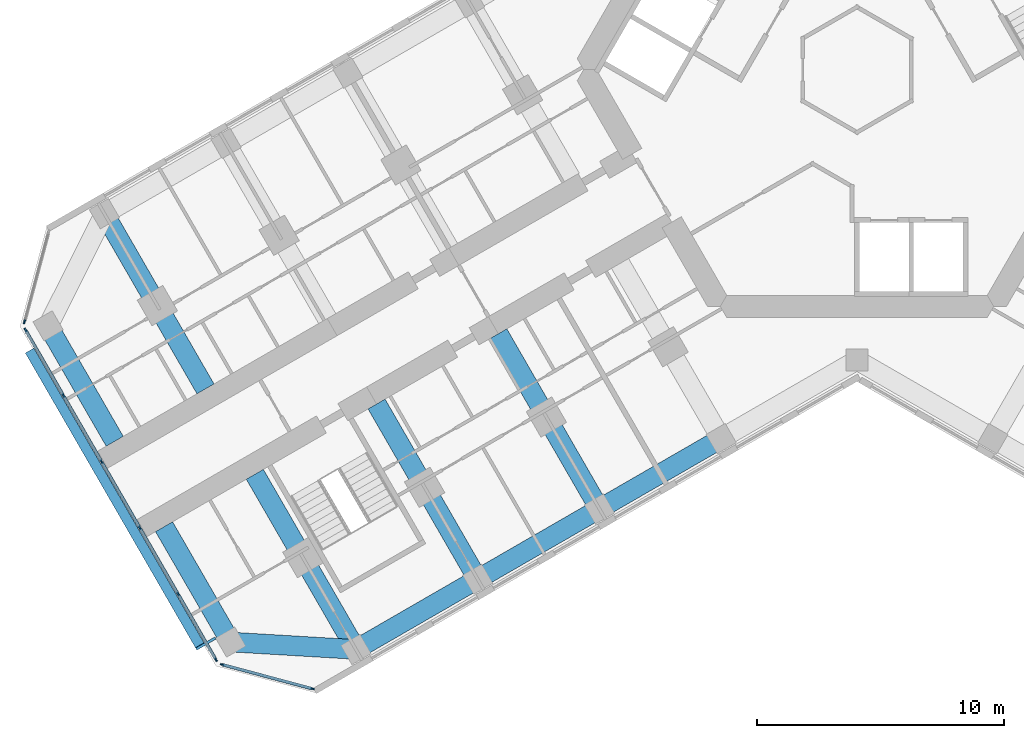
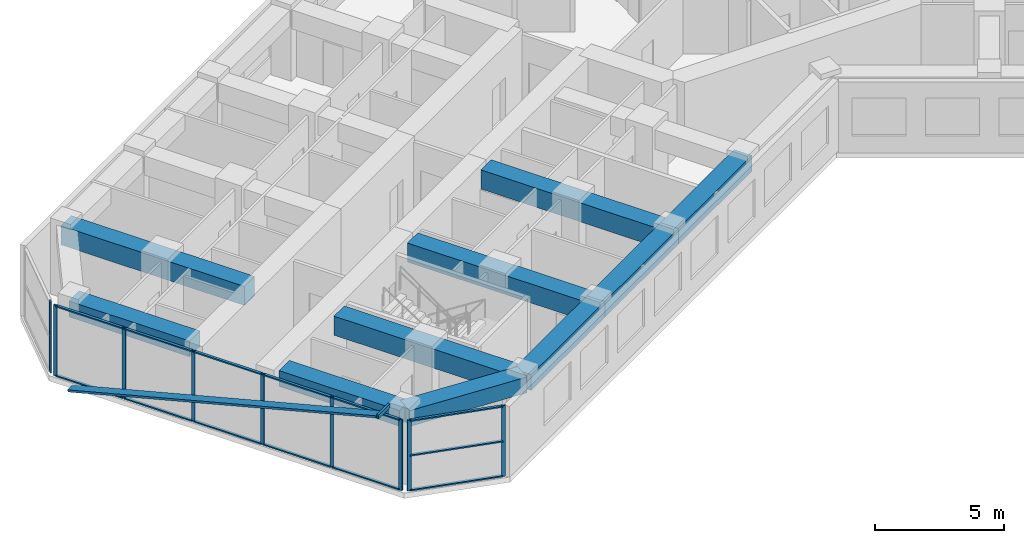
# One storey, part 2 of 19: 24 members, 10 beams, 3 elements without a shape of their own.
"""IFC4 building model written with IfcOpenShell, lengths in metres."""

from ifc_helpers import new_model, si_unit, direction, frame, origin, origin_2d, place, context, subcontext, project, spatial, rectangle, hollow_rectangle, extrude, material, material_profile, profile_set, type_object, element, aggregate, save


model = new_model("IFC4")

# Units and contexts
model_context = context("Model", 3, precision=1e-05, world=origin(), true_north=direction((0.0, 1.0)))
body_context = subcontext(model_context, "Body", "Model", "MODEL_VIEW")
ifc_project = project(units=[si_unit("LENGTHUNIT", "METRE"), si_unit("AREAUNIT", "SQUARE_METRE"), si_unit("VOLUMEUNIT", "CUBIC_METRE"), si_unit("PLANEANGLEUNIT", "RADIAN"), si_unit("MASSUNIT", "GRAM", prefix="KILO")], contexts=[model_context])

# Site, building, storey
site_placement = place(None, origin())
site = spatial("IfcSite", under=ifc_project, at=site_placement, CompositionType="ELEMENT")
building_placement = place(site_placement, origin())
building = spatial("IfcBuilding", under=site, at=building_placement, Name="Kosmar Iwan School Tower", CompositionType="ELEMENT")
storey_placement = place(building_placement, frame((0.0, 0.0, 145.39990234375)))
storey = spatial("IfcBuildingStorey", under=building, at=storey_placement, Name="L36", CompositionType="ELEMENT", Elevation=145.39990234375)

# Members
ifc_material_1 = material(Name="Black anodised aluminium", Category="aluminium")
ifc_material_profile_1 = material_profile(ifc_material_1, rectangle(XDim=0.10009765625, YDim=0.39990234375, at=origin_2d()), Name="FIN 100x400")
ifc_profile_set_1 = profile_set([ifc_material_profile_1], Name="Black anodised aluminium")
member_type_1 = type_object("IfcMemberType", Name="Diagonal fin 100x400", PredefinedType="USERDEFINED", material=ifc_profile_set_1)
member_1_placement = place(storey_placement, frame((-33.54345703125, -11.40087890625, -0.14990234375), z_axis=(0.483793446988, -0.837970316603, 0.25248692866), x_axis=(-0.126241714543, 0.218661104574, 0.96760030532)))
element("IfcMember", 1, at=member_1_placement, inside=storey, type_object=member_type_1, Name="Diagonal fin L36-F13", ObjectType="FIN", PredefinedType="USERDEFINED", context=body_context, shape_type="SweptSolid", body=[
    extrude(rectangle(XDim=0.10009765625, YDim=0.39990234375, at=origin_2d()), origin(), (0.0, 0.0, 1.0), 14.258544921875),
])
ifc_material_2 = material(Name="Steel S355", Category="steel")
ifc_material_profile_2 = material_profile(ifc_material_2, hollow_rectangle(XDim=0.10009765625, YDim=0.199951171875, WallThickness=0.008056640625, at=origin_2d()), Name="RHS 200x100x8")
ifc_profile_set_2 = profile_set([ifc_material_profile_2], Name="Steel S355")
member_type_2 = type_object("IfcMemberType", Name="Fin bracket RHS 200x100", PredefinedType="USERDEFINED", material=ifc_profile_set_2)
member_2_placement = place(storey_placement, frame((-26.01318359375, -23.0439453125, 3.47509765625), z_axis=(-0.866013897511, -0.50001992892, 0.0), x_axis=(0.50001992892, -0.866013897511, 0.0)))
element("IfcMember", 2, at=member_2_placement, inside=storey, type_object=member_type_2, Name="Fin bracket L37", ObjectType="FIN BRACKET", PredefinedType="USERDEFINED", context=body_context, shape_type="SweptSolid", body=[
    extrude(hollow_rectangle(XDim=0.10009765625, YDim=0.199951171875, WallThickness=0.008056640625, at=origin_2d()), origin(), (0.0, 0.0, 1.0), 0.89990234375),
])

# Curtain wall, member
ifc_material_3 = material(Name="Dark glass in black aluminium frame", Category="aluminium")
curtain_wall_type_1 = type_object("IfcCurtainWallType", Name="Chamfer curtain wall dark glass", PredefinedType="USERDEFINED", material=ifc_material_3)
curtain_wall_1_placement = place(storey_placement, origin())
curtain_wall_1 = element("IfcCurtainWall", 3, at=curtain_wall_1_placement, inside=storey, type_object=curtain_wall_type_1, Name="Curtain wall L36-F12", ObjectType="FACETED CURTAIN WALL", PredefinedType="USERDEFINED")
ifc_material_4 = material(Name="Black anodised aluminium", Category="aluminium")
ifc_material_profile_3 = material_profile(ifc_material_4, rectangle(XDim=0.06005859375, YDim=0.159912109375, at=origin_2d()), Name="MULLION 60x160")
ifc_profile_set_3 = profile_set([ifc_material_profile_3], Name="Black anodised aluminium")
member_type_3 = type_object("IfcMemberType", Name="Mullion 60x160", PredefinedType="MULLION", material=ifc_profile_set_3)
member_3_placement = place(storey_placement, frame((-33.7587890625, -10.2236328125, 0.0), z_axis=(0.0, 0.0, 1.0), x_axis=(0.965925875495, -0.258818861462, 0.0)))
member_3 = element("IfcMember", 4, at=member_3_placement, type_object=member_type_3, Name="CW2 mullion 2", PredefinedType="MULLION", context=body_context, shape_type="SweptSolid", body=[
    extrude(rectangle(XDim=0.06005859375, YDim=0.159912109375, at=origin_2d()), origin(), (0.0, 0.0, 1.0), 3.35009765625),
])
aggregate(curtain_wall_1, [member_3])

# Curtain wall, members
ifc_material_5 = material(Name="Dark glass in black aluminium frame", Category="aluminium")
curtain_wall_type_2 = type_object("IfcCurtainWallType", Name="Tower curtain wall dark glass", PredefinedType="USERDEFINED", material=ifc_material_5)
curtain_wall_2_placement = place(storey_placement, origin())
curtain_wall_2 = element("IfcCurtainWall", 5, at=curtain_wall_2_placement, inside=storey, type_object=curtain_wall_type_2, Name="Curtain wall L36-F13", ObjectType="UNITISED CURTAIN WALL", PredefinedType="USERDEFINED")
member_4_placement = place(storey_placement, frame((-33.71533203125, -10.55322265625, 0.0), z_axis=(0.0, 0.0, 1.0), x_axis=(0.866025405329, 0.499999997325, 0.0)))
member_4 = element("IfcMember", 6, at=member_4_placement, type_object=member_type_3, Name="CW1 mullion 1", PredefinedType="MULLION", context=body_context, shape_type="SweptSolid", body=[
    extrude(rectangle(XDim=0.06005859375, YDim=0.159912109375, at=origin_2d()), origin(), (0.0, 0.0, 1.0), 3.35009765625),
])
member_5_placement = place(storey_placement, frame((-32.1806640625, -13.21142578125, 0.0), z_axis=(0.0, 0.0, 1.0), x_axis=(0.866025405329, 0.499999997325, 0.0)))
member_5 = element("IfcMember", 7, at=member_5_placement, type_object=member_type_3, Name="CW1 mullion 2", PredefinedType="MULLION", context=body_context, shape_type="SweptSolid", body=[
    extrude(rectangle(XDim=0.06005859375, YDim=0.159912109375, at=origin_2d()), origin(), (0.0, 0.0, 1.0), 3.35009765625),
])
member_6_placement = place(storey_placement, frame((-30.631103515625, -15.8955078125, 0.0), z_axis=(0.0, 0.0, 1.0), x_axis=(0.866025405329, 0.499999997325, 0.0)))
member_6 = element("IfcMember", 8, at=member_6_placement, type_object=member_type_3, Name="CW1 mullion 3", PredefinedType="MULLION", context=body_context, shape_type="SweptSolid", body=[
    extrude(rectangle(XDim=0.06005859375, YDim=0.159912109375, at=origin_2d()), origin(), (0.0, 0.0, 1.0), 3.35009765625),
])
member_7_placement = place(storey_placement, frame((-29.081298828125, -18.57958984375, 0.0), z_axis=(0.0, 0.0, 1.0), x_axis=(0.866025405329, 0.499999997325, 0.0)))
member_7 = element("IfcMember", 9, at=member_7_placement, type_object=member_type_3, Name="CW1 mullion 4", PredefinedType="MULLION", context=body_context, shape_type="SweptSolid", body=[
    extrude(rectangle(XDim=0.06005859375, YDim=0.159912109375, at=origin_2d()), origin(), (0.0, 0.0, 1.0), 3.35009765625),
])
member_8_placement = place(storey_placement, frame((-27.53173828125, -21.263671875, 0.0), z_axis=(0.0, 0.0, 1.0), x_axis=(0.866025405329, 0.499999997325, 0.0)))
member_8 = element("IfcMember", 10, at=member_8_placement, type_object=member_type_3, Name="CW1 mullion 5", PredefinedType="MULLION", context=body_context, shape_type="SweptSolid", body=[
    extrude(rectangle(XDim=0.06005859375, YDim=0.159912109375, at=origin_2d()), origin(), (0.0, 0.0, 1.0), 3.35009765625),
])
member_9_placement = place(storey_placement, frame((-25.9970703125, -23.921630859375, 0.0), z_axis=(0.0, 0.0, 1.0), x_axis=(0.866025405329, 0.499999997325, 0.0)))
member_9 = element("IfcMember", 11, at=member_9_placement, type_object=member_type_3, Name="CW1 mullion 6", PredefinedType="MULLION", context=body_context, shape_type="SweptSolid", body=[
    extrude(rectangle(XDim=0.06005859375, YDim=0.159912109375, at=origin_2d()), origin(), (0.0, 0.0, 1.0), 3.35009765625),
])

curtain_wall_3_placement = place(storey_placement, origin())
curtain_wall_3 = element("IfcCurtainWall", 12, at=curtain_wall_3_placement, inside=storey, type_object=curtain_wall_type_1, Name="Curtain wall L36-F14", ObjectType="FACETED CURTAIN WALL", PredefinedType="USERDEFINED")
member_10_placement = place(storey_placement, frame((-25.733154296875, -24.124267578125, 0.0), z_axis=(0.0, 0.0, 1.0), x_axis=(0.258818861462, 0.965925875495, 0.0)))
member_10 = element("IfcMember", 13, at=member_10_placement, type_object=member_type_3, Name="CW2 mullion 1", PredefinedType="MULLION", context=body_context, shape_type="SweptSolid", body=[
    extrude(rectangle(XDim=0.06005859375, YDim=0.159912109375, at=origin_2d()), origin(), (0.0, 0.0, 1.0), 3.35009765625),
])
member_11_placement = place(storey_placement, frame((-22.0830078125, -25.102294921875, 0.0), z_axis=(0.0, 0.0, 1.0), x_axis=(0.258818861462, 0.965925875495, 0.0)))
member_11 = element("IfcMember", 14, at=member_11_placement, type_object=member_type_3, Name="CW2 mullion 2", PredefinedType="MULLION", context=body_context, shape_type="SweptSolid", body=[
    extrude(rectangle(XDim=0.06005859375, YDim=0.159912109375, at=origin_2d()), origin(), (0.0, 0.0, 1.0), 3.35009765625),
])

# Beams
ifc_material_6 = material(Name="Concrete C50/60", Category="concrete")
ifc_material_profile_4 = material_profile(ifc_material_6, rectangle(XDim=0.800048828125, YDim=0.75, at=origin_2d()), Name="RC 800x750")
ifc_profile_set_4 = profile_set([ifc_material_profile_4], Name="Concrete C50/60")
beam_type_1 = type_object("IfcBeamType", Name="RC edge beam 800x750", PredefinedType="BEAM", material=ifc_profile_set_4)
beam_1_placement = place(storey_placement, frame((-5.5087890625, -14.95849609375, 2.97509765625), z_axis=(-0.866033658841, -0.49998570155, 0.0), x_axis=(0.49998570155, -0.866033658841, 0.0)))
element("IfcBeam", 15, at=beam_1_placement, inside=storey, type_object=beam_type_1, Name="Edge beam BL2", PredefinedType="BEAM", context=body_context, shape_type="SweptSolid", body=[
    extrude(rectangle(XDim=0.800048828125, YDim=0.75, at=origin_2d()), origin(), (0.0, 0.0, 1.0), 5.699951171875),
])
beam_2_placement = place(storey_placement, frame((-10.445068359375, -17.808349609375, 2.97509765625), z_axis=(-0.866025820012, -0.499999279071, 0.0), x_axis=(0.499999279071, -0.866025820012, 0.0)))
element("IfcBeam", 16, at=beam_2_placement, inside=storey, type_object=beam_type_1, Name="Edge beam BL3", PredefinedType="BEAM", context=body_context, shape_type="SweptSolid", body=[
    extrude(rectangle(XDim=0.800048828125, YDim=0.75, at=origin_2d()), origin(), (0.0, 0.0, 1.0), 5.7001953125),
])
beam_3_placement = place(storey_placement, frame((-15.381591796875, -20.658447265625, 2.97509765625), z_axis=(-0.866015111908, -0.50001782563, 0.0), x_axis=(0.50001782563, -0.866015111908, 0.0)))
element("IfcBeam", 17, at=beam_3_placement, inside=storey, type_object=beam_type_1, Name="Edge beam BL4", PredefinedType="BEAM", context=body_context, shape_type="SweptSolid", body=[
    extrude(rectangle(XDim=0.800048828125, YDim=0.75, at=origin_2d()), origin(), (0.0, 0.0, 1.0), 5.699951171875),
])
ifc_material_7 = material(Name="Concrete C50/60", Category="concrete")
ifc_material_profile_5 = material_profile(ifc_material_7, rectangle(XDim=0.800048828125, YDim=0.75, at=origin_2d()), Name="RC 800x750")
ifc_profile_set_5 = profile_set([ifc_material_profile_5], Name="Concrete C50/60")
beam_type_2 = type_object("IfcBeamType", Name="RC tip beam 800x750", PredefinedType="BEAM", material=ifc_profile_set_5)
beam_4_placement = place(storey_placement, frame((-20.31787109375, -23.508544921875, 2.97509765625), z_axis=(-0.998260616478, 0.058955420358, 0.0), x_axis=(-0.058955420358, -0.998260616478, 0.0)))
element("IfcBeam", 18, at=beam_4_placement, inside=storey, type_object=beam_type_2, Name="Tip beam BL", PredefinedType="BEAM", context=body_context, shape_type="SweptSolid", body=[
    extrude(rectangle(XDim=0.800048828125, YDim=0.75, at=origin_2d()), origin(), (0.0, 0.0, 1.0), 5.08935546875),
])
for number, where, z_axis, x_axis, name in (
    (19, (-25.3984375, -23.20849609375, 2.97509765625), (-0.499995103361, 0.866028230842, 0.0), (-0.866028230842, -0.499995103361, 0.0), "Tip beam BL to corridor wall"),
    (20, (-32.79833984375, -10.391357421875, 2.97509765625), (0.499995103361, -0.866028230842, 0.0), (0.866028230842, 0.499995103361, 0.0), "Tip beam BR to corridor wall"),
):
    element("IfcBeam", number, at=place(storey_placement, frame(where, z_axis=z_axis, x_axis=x_axis)), inside=storey, type_object=beam_type_2, Name=name, PredefinedType="BEAM", context=body_context, shape_type="SweptSolid", body=[
        extrude(rectangle(XDim=0.800048828125, YDim=0.75, at=origin_2d()), origin(), (0.0, 0.0, 1.0), 5.39990234375),
    ])
ifc_material_8 = material(Name="Concrete C50/60", Category="concrete")
ifc_material_profile_6 = material_profile(ifc_material_8, rectangle(XDim=0.800048828125, YDim=0.89990234375, at=origin_2d()), Name="RC 800x900")
ifc_profile_set_6 = profile_set([ifc_material_profile_6], Name="Concrete C50/60")
beam_type_3 = type_object("IfcBeamType", Name="RC transverse beam 800x900", PredefinedType="BEAM", material=ifc_profile_set_6)
for number, where, z_axis, x_axis, name in (
    (21, (-10.445068359375, -17.808349609375, 2.900146484375), (-0.500013681986, 0.866017504342, 0.0), (-0.866017504342, -0.500013681986, 0.0), "Transverse beam BL2"),
    (22, (-15.381591796875, -20.658447265625, 2.900146484375), (-0.49999135188, 0.866030396721, 0.0), (-0.866030396721, -0.49999135188, 0.0), "Transverse beam BL3"),
    (23, (-20.31787109375, -23.508544921875, 2.900146484375), (-0.499978459874, 0.866037839625, 0.0), (-0.866037839625, -0.499978459874, 0.0), "Transverse beam BL4"),
    (24, (-30.517822265625, -5.841552734375, 2.900146484375), (0.500013681986, -0.866017504342, 0.0), (0.866017504342, 0.500013681986, 0.0), "Transverse beam BR4"),
):
    element("IfcBeam", number, at=place(storey_placement, frame(where, z_axis=z_axis, x_axis=x_axis)), inside=storey, type_object=beam_type_3, Name=name, PredefinedType="BEAM", context=body_context, shape_type="SweptSolid", body=[
        extrude(rectangle(XDim=0.800048828125, YDim=0.89990234375, at=origin_2d()), origin(), (0.0, 0.0, 1.0), 8.199951171875),
    ])

# Member
ifc_material_9 = material(Name="Black anodised aluminium", Category="aluminium")
ifc_material_profile_7 = material_profile(ifc_material_9, rectangle(XDim=0.1201171875, YDim=0.06005859375, at=origin_2d()), Name="TRANSOM 60x120")
ifc_profile_set_7 = profile_set([ifc_material_profile_7], Name="Black anodised aluminium")
member_type_4 = type_object("IfcMemberType", Name="Transom 60x120", PredefinedType="USERDEFINED", material=ifc_profile_set_7)
member_12_placement = place(storey_placement, frame((-33.700439453125, -10.579345703125, 0.030029296875), z_axis=(0.500022102064, -0.866012642776, 0.0), x_axis=(0.866012642776, 0.500022102064, 0.0)))
member_12 = element("IfcMember", 25, at=member_12_placement, type_object=member_type_4, Name="CW1 transom 1.1", ObjectType="TRANSOM", PredefinedType="USERDEFINED", context=body_context, shape_type="SweptSolid", body=[
    extrude(rectangle(XDim=0.1201171875, YDim=0.06005859375, at=origin_2d()), origin(), (0.0, 0.0, 1.0), 3.009033203125),
])

member_13_placement = place(storey_placement, frame((-33.700439453125, -10.579345703125, 3.320068359375), z_axis=(0.500022102064, -0.866012642776, 0.0), x_axis=(0.866012642776, 0.500022102064, 0.0)))
member_13 = element("IfcMember", 26, at=member_13_placement, type_object=member_type_4, Name="CW1 transom 1.2", ObjectType="TRANSOM", PredefinedType="USERDEFINED", context=body_context, shape_type="SweptSolid", body=[
    extrude(rectangle(XDim=0.1201171875, YDim=0.06005859375, at=origin_2d()), origin(), (0.0, 0.0, 1.0), 3.009033203125),
])

member_14_placement = place(storey_placement, frame((-32.165771484375, -13.2373046875, 0.030029296875), z_axis=(0.500035348339, -0.866004994449, 0.0), x_axis=(0.866004994449, 0.500035348339, 0.0)))
member_14 = element("IfcMember", 27, at=member_14_placement, type_object=member_type_4, Name="CW1 transom 2.1", ObjectType="TRANSOM", PredefinedType="USERDEFINED", context=body_context, shape_type="SweptSolid", body=[
    extrude(rectangle(XDim=0.1201171875, YDim=0.06005859375, at=origin_2d()), origin(), (0.0, 0.0, 1.0), 3.039306640625),
])

member_15_placement = place(storey_placement, frame((-32.165771484375, -13.2373046875, 3.320068359375), z_axis=(0.500035348339, -0.866004994449, 0.0), x_axis=(0.866004994449, 0.500035348339, 0.0)))
member_15 = element("IfcMember", 28, at=member_15_placement, type_object=member_type_4, Name="CW1 transom 2.2", ObjectType="TRANSOM", PredefinedType="USERDEFINED", context=body_context, shape_type="SweptSolid", body=[
    extrude(rectangle(XDim=0.1201171875, YDim=0.06005859375, at=origin_2d()), origin(), (0.0, 0.0, 1.0), 3.039306640625),
])

member_16_placement = place(storey_placement, frame((-30.615966796875, -15.92138671875, 0.030029296875), z_axis=(0.499975102327, -0.866039777986, 0.0), x_axis=(0.866039777986, 0.499975102327, 0.0)))
member_16 = element("IfcMember", 29, at=member_16_placement, type_object=member_type_4, Name="CW1 transom 3.1", ObjectType="TRANSOM", PredefinedType="USERDEFINED", context=body_context, shape_type="SweptSolid", body=[
    extrude(rectangle(XDim=0.1201171875, YDim=0.06005859375, at=origin_2d()), origin(), (0.0, 0.0, 1.0), 3.039306640625),
])

member_17_placement = place(storey_placement, frame((-30.615966796875, -15.92138671875, 3.320068359375), z_axis=(0.499975102327, -0.866039777986, 0.0), x_axis=(0.866039777986, 0.499975102327, 0.0)))
member_17 = element("IfcMember", 30, at=member_17_placement, type_object=member_type_4, Name="CW1 transom 3.2", ObjectType="TRANSOM", PredefinedType="USERDEFINED", context=body_context, shape_type="SweptSolid", body=[
    extrude(rectangle(XDim=0.1201171875, YDim=0.06005859375, at=origin_2d()), origin(), (0.0, 0.0, 1.0), 3.039306640625),
])

member_18_placement = place(storey_placement, frame((-29.06640625, -18.60546875, 0.030029296875), z_axis=(0.499975102327, -0.866039777986, 0.0), x_axis=(0.866039777986, 0.499975102327, 0.0)))
member_18 = element("IfcMember", 31, at=member_18_placement, type_object=member_type_4, Name="CW1 transom 4.1", ObjectType="TRANSOM", PredefinedType="USERDEFINED", context=body_context, shape_type="SweptSolid", body=[
    extrude(rectangle(XDim=0.1201171875, YDim=0.06005859375, at=origin_2d()), origin(), (0.0, 0.0, 1.0), 3.039306640625),
])

member_19_placement = place(storey_placement, frame((-29.06640625, -18.60546875, 3.320068359375), z_axis=(0.499975102327, -0.866039777986, 0.0), x_axis=(0.866039777986, 0.499975102327, 0.0)))
member_19 = element("IfcMember", 32, at=member_19_placement, type_object=member_type_4, Name="CW1 transom 4.2", ObjectType="TRANSOM", PredefinedType="USERDEFINED", context=body_context, shape_type="SweptSolid", body=[
    extrude(rectangle(XDim=0.1201171875, YDim=0.06005859375, at=origin_2d()), origin(), (0.0, 0.0, 1.0), 3.039306640625),
])

member_20_placement = place(storey_placement, frame((-27.516845703125, -21.28955078125, 0.030029296875), z_axis=(0.499986971506, -0.866032925658, 0.0), x_axis=(0.866032925658, 0.499986971506, 0.0)))
member_20 = element("IfcMember", 33, at=member_20_placement, type_object=member_type_4, Name="CW1 transom 5.1", ObjectType="TRANSOM", PredefinedType="USERDEFINED", context=body_context, shape_type="SweptSolid", body=[
    extrude(rectangle(XDim=0.1201171875, YDim=0.06005859375, at=origin_2d()), origin(), (0.0, 0.0, 1.0), 3.00927734375),
])

member_21_placement = place(storey_placement, frame((-27.516845703125, -21.28955078125, 3.320068359375), z_axis=(0.499986971506, -0.866032925658, 0.0), x_axis=(0.866032925658, 0.499986971506, 0.0)))
member_21 = element("IfcMember", 34, at=member_21_placement, type_object=member_type_4, Name="CW1 transom 5.2", ObjectType="TRANSOM", PredefinedType="USERDEFINED", context=body_context, shape_type="SweptSolid", body=[
    extrude(rectangle(XDim=0.1201171875, YDim=0.06005859375, at=origin_2d()), origin(), (0.0, 0.0, 1.0), 3.00927734375),
])

aggregate(curtain_wall_2, [member_4, member_5, member_6, member_7, member_8, member_9, member_12, member_13, member_14, member_15, member_16, member_17, member_18, member_19, member_20, member_21])

member_22_placement = place(storey_placement, frame((-25.704345703125, -24.1318359375, 0.030029296875), z_axis=(0.965923731726, -0.258826861991, 0.0), x_axis=(0.258826861991, 0.965923731726, 0.0)))
member_22 = element("IfcMember", 35, at=member_22_placement, type_object=member_type_4, Name="CW2 transom 1.1", ObjectType="TRANSOM", PredefinedType="USERDEFINED", context=body_context, shape_type="SweptSolid", body=[
    extrude(rectangle(XDim=0.1201171875, YDim=0.06005859375, at=origin_2d()), origin(), (0.0, 0.0, 1.0), 3.71923828125),
])

member_23_placement = place(storey_placement, frame((-25.704345703125, -24.1318359375, 1.675048828125), z_axis=(0.965923731726, -0.258826861991, 0.0), x_axis=(0.258826861991, 0.965923731726, 0.0)))
member_23 = element("IfcMember", 36, at=member_23_placement, type_object=member_type_4, Name="CW2 transom 1.2", ObjectType="TRANSOM", PredefinedType="USERDEFINED", context=body_context, shape_type="SweptSolid", body=[
    extrude(rectangle(XDim=0.1201171875, YDim=0.06005859375, at=origin_2d()), origin(), (0.0, 0.0, 1.0), 3.71923828125),
])

member_24_placement = place(storey_placement, frame((-25.704345703125, -24.1318359375, 3.320068359375), z_axis=(0.965923731726, -0.258826861991, 0.0), x_axis=(0.258826861991, 0.965923731726, 0.0)))
member_24 = element("IfcMember", 37, at=member_24_placement, type_object=member_type_4, Name="CW2 transom 1.3", ObjectType="TRANSOM", PredefinedType="USERDEFINED", context=body_context, shape_type="SweptSolid", body=[
    extrude(rectangle(XDim=0.1201171875, YDim=0.06005859375, at=origin_2d()), origin(), (0.0, 0.0, 1.0), 3.71923828125),
])

aggregate(curtain_wall_3, [member_10, member_11, member_22, member_23, member_24])

save(model, "model.ifc")
